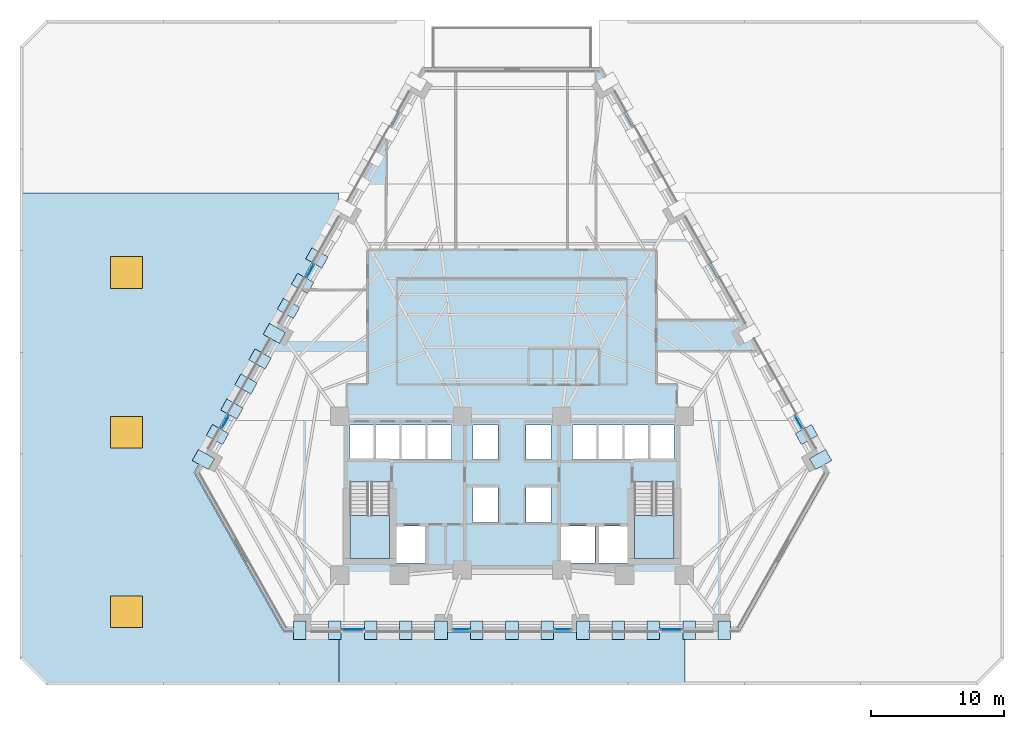
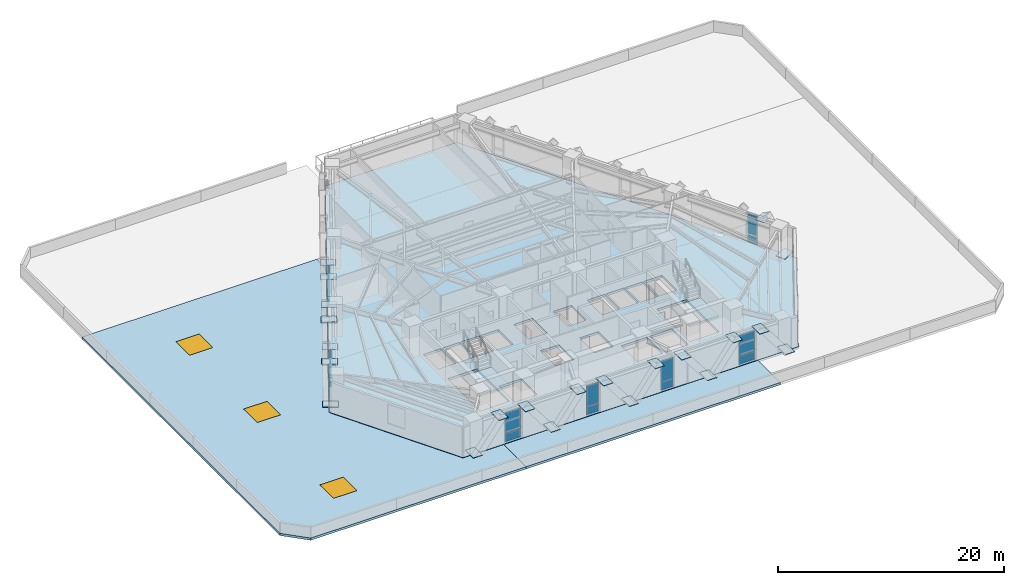
# One storey, part 5 of 14: 38 plates, 5 slabs, 3 windows, 3 openings, 9 elements without a shape of their own.
"""IFC4 building model written with IfcOpenShell, lengths in metres."""

from ifc_helpers import new_model, si_unit, direction, frame, origin, origin_2d, place, context, subcontext, project, spatial, polyline, rectangle, outline, extrude, material, layer, layer_set, type_object, element, fill, aggregate, save


model = new_model("IFC4")

# Units and contexts
model_context = context("Model", 3, precision=1e-05, world=origin(), true_north=direction((0.0, 1.0)))
body_context = subcontext(model_context, "Body", "Model", "MODEL_VIEW")
ifc_project = project(units=[si_unit("LENGTHUNIT", "METRE"), si_unit("AREAUNIT", "SQUARE_METRE"), si_unit("VOLUMEUNIT", "CUBIC_METRE"), si_unit("PLANEANGLEUNIT", "RADIAN"), si_unit("MASSUNIT", "GRAM", prefix="KILO")], contexts=[model_context])

# Site, building, storey
site_placement = place(None, origin())
site = spatial("IfcSite", under=ifc_project, at=site_placement, CompositionType="ELEMENT")
building_placement = place(site_placement, origin())
building = spatial("IfcBuilding", under=site, at=building_placement, Name="Quenlor Broadcast Tower", CompositionType="ELEMENT")
storey_placement = place(building_placement, frame((0.0, 0.0, 27.60009765625)))
storey = spatial("IfcBuildingStorey", under=building, at=storey_placement, Name="L06", CompositionType="ELEMENT", Elevation=27.60009765625)

# Curtain wall, plates
ifc_material_1 = material(Name="Architectural Terracotta and Low-E Glazing", Category="masonry")
curtain_wall_type = type_object("IfcCurtainWallType", Name="Unitised Terracotta Curtain Wall System Z1", PredefinedType="NOTDEFINED", material=ifc_material_1)
curtain_wall_1_placement = place(storey_placement, origin())
curtain_wall_1 = element("IfcCurtainWall", 1, at=curtain_wall_1_placement, inside=storey, type_object=curtain_wall_type, Name="L06 Curtain Wall CW1 (L06-SA-G1)", PredefinedType="NOTDEFINED")
ifc_material_2 = material(Name="Double Glazed Low-E Solar Glass", Category="glass")
ifc_layer_1 = layer(ifc_material_2, 0.031982421875)
ifc_layer_set_1 = layer_set([ifc_layer_1], Name="CW1 Double Glazed Vision Panel 32")
plate_type_1 = type_object("IfcPlateType", Name="CW1 Double Glazed Vision Panel 32", PredefinedType="CURTAIN_PANEL", material=ifc_layer_set_1)
plate_1_placement = place(storey_placement, frame((11.970703125, -20.840087890625, 0.079833984375), z_axis=(0.0, 0.0, 1.0), x_axis=(-1.0, 0.0, 0.0)))
plate_1 = element("IfcPlate", 2, at=plate_1_placement, type_object=plate_type_1, Name="CW1 panel 1.1", PredefinedType="CURTAIN_PANEL", context=body_context, shape_type="SweptSolid", body=[
    extrude(rectangle(XDim=1.568359375, YDim=0.031982421875, at=origin_2d()), origin(), (0.0, 0.0, 1.0), 0.830078125),
])
plate_2_placement = place(storey_placement, frame((11.970703125, -20.840087890625, 0.98974609375), z_axis=(0.0, 0.0, 1.0), x_axis=(-1.0, 0.0, 0.0)))
plate_2 = element("IfcPlate", 3, at=plate_2_placement, type_object=plate_type_1, Name="CW1 panel 1.2", PredefinedType="CURTAIN_PANEL", context=body_context, shape_type="SweptSolid", body=[
    extrude(rectangle(XDim=1.568359375, YDim=0.031982421875, at=origin_2d()), origin(), (0.0, 0.0, 1.0), 2.179931640625),
])
aggregate(curtain_wall_1, [plate_1, plate_2])

curtain_wall_2_placement = place(storey_placement, origin())
curtain_wall_2 = element("IfcCurtainWall", 4, at=curtain_wall_2_placement, inside=storey, type_object=curtain_wall_type, Name="L06 Curtain Wall CW1 (L06-SC-G1)", PredefinedType="NOTDEFINED")
plate_3_placement = place(storey_placement, frame((-11.970703125, -20.840087890625, 0.079833984375), z_axis=(0.0, 0.0, 1.0), x_axis=(-1.0, 0.0, 0.0)))
plate_3 = element("IfcPlate", 5, at=plate_3_placement, type_object=plate_type_1, Name="CW1 panel 1.1", PredefinedType="CURTAIN_PANEL", context=body_context, shape_type="SweptSolid", body=[
    extrude(rectangle(XDim=1.568359375, YDim=0.031982421875, at=origin_2d()), origin(), (0.0, 0.0, 1.0), 0.830078125),
])
plate_4_placement = place(storey_placement, frame((-11.970703125, -20.840087890625, 0.98974609375), z_axis=(0.0, 0.0, 1.0), x_axis=(-1.0, 0.0, 0.0)))
plate_4 = element("IfcPlate", 6, at=plate_4_placement, type_object=plate_type_1, Name="CW1 panel 1.2", PredefinedType="CURTAIN_PANEL", context=body_context, shape_type="SweptSolid", body=[
    extrude(rectangle(XDim=1.568359375, YDim=0.031982421875, at=origin_2d()), origin(), (0.0, 0.0, 1.0), 2.179931640625),
])
aggregate(curtain_wall_2, [plate_3, plate_4])

curtain_wall_3_placement = place(storey_placement, origin())
curtain_wall_3 = element("IfcCurtainWall", 7, at=curtain_wall_3_placement, inside=storey, type_object=curtain_wall_type, Name="L06 Curtain Wall CW1 (L06-S-G1)", PredefinedType="NOTDEFINED")
plate_5_placement = place(storey_placement, frame((3.81103515625, -20.840087890625, 0.079833984375), z_axis=(0.0, 0.0, 1.0), x_axis=(-1.0, 0.0, 0.0)))
plate_5 = element("IfcPlate", 8, at=plate_5_placement, type_object=plate_type_1, Name="CW1 panel 1.1", PredefinedType="CURTAIN_PANEL", context=body_context, shape_type="SweptSolid", body=[
    extrude(rectangle(XDim=1.209716796875, YDim=0.031982421875, at=origin_2d()), origin(), (0.0, 0.0, 1.0), 0.830078125),
])
plate_6_placement = place(storey_placement, frame((3.81103515625, -20.840087890625, 0.98974609375), z_axis=(0.0, 0.0, 1.0), x_axis=(-1.0, 0.0, 0.0)))
plate_6 = element("IfcPlate", 9, at=plate_6_placement, type_object=plate_type_1, Name="CW1 panel 1.2", PredefinedType="CURTAIN_PANEL", context=body_context, shape_type="SweptSolid", body=[
    extrude(rectangle(XDim=1.209716796875, YDim=0.031982421875, at=origin_2d()), origin(), (0.0, 0.0, 1.0), 2.179931640625),
])
aggregate(curtain_wall_3, [plate_5, plate_6])

curtain_wall_4_placement = place(storey_placement, origin())
curtain_wall_4 = element("IfcCurtainWall", 10, at=curtain_wall_4_placement, inside=storey, type_object=curtain_wall_type, Name="L06 Curtain Wall CW1 (L06-S-G2)", PredefinedType="NOTDEFINED")
plate_7_placement = place(storey_placement, frame((-3.81103515625, -20.840087890625, 0.079833984375), z_axis=(0.0, 0.0, 1.0), x_axis=(-1.0, 0.0, 0.0)))
plate_7 = element("IfcPlate", 11, at=plate_7_placement, type_object=plate_type_1, Name="CW1 panel 1.1", PredefinedType="CURTAIN_PANEL", context=body_context, shape_type="SweptSolid", body=[
    extrude(rectangle(XDim=1.209716796875, YDim=0.031982421875, at=origin_2d()), origin(), (0.0, 0.0, 1.0), 0.830078125),
])
plate_8_placement = place(storey_placement, frame((-3.81103515625, -20.840087890625, 0.98974609375), z_axis=(0.0, 0.0, 1.0), x_axis=(-1.0, 0.0, 0.0)))
plate_8 = element("IfcPlate", 12, at=plate_8_placement, type_object=plate_type_1, Name="CW1 panel 1.2", PredefinedType="CURTAIN_PANEL", context=body_context, shape_type="SweptSolid", body=[
    extrude(rectangle(XDim=1.209716796875, YDim=0.031982421875, at=origin_2d()), origin(), (0.0, 0.0, 1.0), 2.179931640625),
])
aggregate(curtain_wall_4, [plate_7, plate_8])

curtain_wall_5_placement = place(storey_placement, origin())
curtain_wall_5 = element("IfcCurtainWall", 13, at=curtain_wall_5_placement, inside=storey, type_object=curtain_wall_type, Name="L06 Curtain Wall CW1 (L06-NEC-G1)", PredefinedType="NOTDEFINED")
plate_9_placement = place(storey_placement, frame((21.553955078125, -5.24462890625, 0.079833984375), z_axis=(0.0, 0.0, 1.0), x_axis=(0.490276943553, -0.871566703483, 0.0)))
plate_9 = element("IfcPlate", 14, at=plate_9_placement, type_object=plate_type_1, Name="CW1 panel 1.1", PredefinedType="CURTAIN_PANEL", context=body_context, shape_type="SweptSolid", body=[
    extrude(rectangle(XDim=1.04931640625, YDim=0.031982421875, at=origin_2d()), origin(), (0.0, 0.0, 1.0), 0.830078125),
])
plate_10_placement = place(storey_placement, frame((21.553955078125, -5.24462890625, 0.98974609375), z_axis=(0.0, 0.0, 1.0), x_axis=(0.490276943553, -0.871566703483, 0.0)))
plate_10 = element("IfcPlate", 15, at=plate_10_placement, type_object=plate_type_1, Name="CW1 panel 1.2", PredefinedType="CURTAIN_PANEL", context=body_context, shape_type="SweptSolid", body=[
    extrude(rectangle(XDim=1.04931640625, YDim=0.031982421875, at=origin_2d()), origin(), (0.0, 0.0, 1.0), 2.179931640625),
])
aggregate(curtain_wall_5, [plate_9, plate_10])

curtain_wall_6_placement = place(storey_placement, origin())
curtain_wall_6 = element("IfcCurtainWall", 16, at=curtain_wall_6_placement, inside=storey, type_object=curtain_wall_type, Name="L06 Curtain Wall CW1 (L06-NWA-G1)", PredefinedType="NOTDEFINED")
plate_11_placement = place(storey_placement, frame((-21.553955078125, -5.24462890625, 0.079833984375), z_axis=(0.0, 0.0, 1.0), x_axis=(0.490276943553, 0.871566703483, 0.0)))
plate_11 = element("IfcPlate", 17, at=plate_11_placement, type_object=plate_type_1, Name="CW1 panel 1.1", PredefinedType="CURTAIN_PANEL", context=body_context, shape_type="SweptSolid", body=[
    extrude(rectangle(XDim=1.04931640625, YDim=0.031982421875, at=origin_2d()), origin(), (0.0, 0.0, 1.0), 0.830078125),
])
plate_12_placement = place(storey_placement, frame((-21.553955078125, -5.24462890625, 0.98974609375), z_axis=(0.0, 0.0, 1.0), x_axis=(0.490276943553, 0.871566703483, 0.0)))
plate_12 = element("IfcPlate", 18, at=plate_12_placement, type_object=plate_type_1, Name="CW1 panel 1.2", PredefinedType="CURTAIN_PANEL", context=body_context, shape_type="SweptSolid", body=[
    extrude(rectangle(XDim=1.04931640625, YDim=0.031982421875, at=origin_2d()), origin(), (0.0, 0.0, 1.0), 2.179931640625),
])
aggregate(curtain_wall_6, [plate_11, plate_12])

curtain_wall_7_placement = place(storey_placement, origin())
curtain_wall_7 = element("IfcCurtainWall", 19, at=curtain_wall_7_placement, inside=storey, type_object=curtain_wall_type, Name="L06 Curtain Wall CW1 (L06-NW-G1)", PredefinedType="NOTDEFINED")
plate_13_placement = place(storey_placement, frame((-15.16064453125, 6.12158203125, 0.079833984375), z_axis=(0.0, 0.0, 1.0), x_axis=(0.490276943553, 0.871566703483, 0.0)))
plate_13 = element("IfcPlate", 20, at=plate_13_placement, type_object=plate_type_1, Name="CW1 panel 1.1", PredefinedType="CURTAIN_PANEL", context=body_context, shape_type="SweptSolid", body=[
    extrude(rectangle(XDim=1.04931640625, YDim=0.031982421875, at=origin_2d()), origin(), (0.0, 0.0, 1.0), 0.830078125),
])
plate_14_placement = place(storey_placement, frame((-15.16064453125, 6.12158203125, 0.98974609375), z_axis=(0.0, 0.0, 1.0), x_axis=(0.490276943553, 0.871566703483, 0.0)))
plate_14 = element("IfcPlate", 21, at=plate_14_placement, type_object=plate_type_1, Name="CW1 panel 1.2", PredefinedType="CURTAIN_PANEL", context=body_context, shape_type="SweptSolid", body=[
    extrude(rectangle(XDim=1.04931640625, YDim=0.031982421875, at=origin_2d()), origin(), (0.0, 0.0, 1.0), 2.179931640625),
])
aggregate(curtain_wall_7, [plate_13, plate_14])

# Slab, openings, windows
ifc_material_3 = material(Name="Concrete C40/50", Category="concrete")
ifc_layer_2 = layer(ifc_material_3, 0.25)
ifc_layer_set_2 = layer_set([ifc_layer_2], Name="Podium Main Weatherproof Concrete C40/50 Roof Slab 250")
slab_type_1 = type_object("IfcSlabType", Name="Podium Main Weatherproof Concrete C40/50 Roof Slab 250", PredefinedType="ROOF", material=ifc_layer_set_2)
slab_1_placement = place(storey_placement, frame((0.0, 0.0, -0.25)))
slab_1 = element("IfcSlab", 22, at=slab_1_placement, inside=storey, type_object=slab_type_1, Name="L06 Setback Weatherproof Roof Slab 1", PredefinedType="ROOF", context=body_context, shape_type="SweptSolid", body=[
    extrude(outline(polyline([(-35.0, -25.0), (-37.0, -23.0), (-37.0, 12.0), (-13.0, 12.0), (-13.0, 10.37060546875), (-23.913818359375, -9.031982421875), (-17.159423828125, -21.0400390625), (-13.0, -21.0400390625), (-13.0, -25.0), (-35.0, -25.0)])), origin(), (0.0, 0.0, 1.0), 0.25),
])
opening_1_placement = place(slab_1_placement, frame((-29.0, 6.0, 0.0)))
opening_1 = element("IfcOpeningElement", 23, at=opening_1_placement, cuts=slab_1, Name="Opening SK-1", PredefinedType="OPENING", context=body_context, shape_type="SweptSolid", body=[
    extrude(rectangle(XDim=2.39990234375, YDim=2.39990234375, at=origin_2d()), frame((0.0, 0.0, -0.010009765625)), (0.0, 0.0, 1.0), 0.27001953125),
])
opening_2_placement = place(slab_1_placement, frame((-29.0, -6.0, 0.0)))
opening_2 = element("IfcOpeningElement", 24, at=opening_2_placement, cuts=slab_1, Name="Opening SK-1", PredefinedType="OPENING", context=body_context, shape_type="SweptSolid", body=[
    extrude(rectangle(XDim=2.39990234375, YDim=2.39990234375, at=origin_2d()), frame((0.0, 0.0, -0.010009765625)), (0.0, 0.0, 1.0), 0.27001953125),
])
opening_3_placement = place(slab_1_placement, frame((-29.0, -19.5, 0.0)))
opening_3 = element("IfcOpeningElement", 25, at=opening_3_placement, cuts=slab_1, Name="Opening SK-1", PredefinedType="OPENING", context=body_context, shape_type="SweptSolid", body=[
    extrude(rectangle(XDim=2.39990234375, YDim=2.39990234375, at=origin_2d()), frame((0.0, 0.0, -0.010009765625)), (0.0, 0.0, 1.0), 0.27001953125),
])
ifc_material_4 = material(Name="Laminated Safety Skylight Glazing", Category="glass")
window_type = type_object("IfcWindowType", Name="Podium Atrium Roof Skylight 2400x2400", PartitioningType="SINGLE_PANEL", PredefinedType="SKYLIGHT", material=ifc_material_4)
window_1_placement = place(opening_1_placement, frame((0.0, 0.0, 0.199951171875)))
window_1 = element("IfcWindow", 26, at=window_1_placement, inside=storey, type_object=window_type, Name="Podium Concourse Skylight SK-1", OverallHeight=2.39990234375, OverallWidth=2.39990234375, PartitioningType="SINGLE_PANEL", PredefinedType="SKYLIGHT", context=body_context, shape_type="SweptSolid", body=[
    extrude(rectangle(XDim=2.39990234375, YDim=2.39990234375, at=origin_2d()), origin(), (0.0, 0.0, 1.0), 0.050048828125),
])
fill(opening_1, window_1)
window_2_placement = place(opening_2_placement, frame((0.0, 0.0, 0.199951171875)))
window_2 = element("IfcWindow", 27, at=window_2_placement, inside=storey, type_object=window_type, Name="Podium Concourse Skylight SK-2", OverallHeight=2.39990234375, OverallWidth=2.39990234375, PartitioningType="SINGLE_PANEL", PredefinedType="SKYLIGHT", context=body_context, shape_type="SweptSolid", body=[
    extrude(rectangle(XDim=2.39990234375, YDim=2.39990234375, at=origin_2d()), origin(), (0.0, 0.0, 1.0), 0.050048828125),
])
fill(opening_2, window_2)
window_3_placement = place(opening_3_placement, frame((0.0, 0.0, 0.199951171875)))
window_3 = element("IfcWindow", 28, at=window_3_placement, inside=storey, type_object=window_type, Name="Podium Concourse Skylight SK-4", OverallHeight=2.39990234375, OverallWidth=2.39990234375, PartitioningType="SINGLE_PANEL", PredefinedType="SKYLIGHT", context=body_context, shape_type="SweptSolid", body=[
    extrude(rectangle(XDim=2.39990234375, YDim=2.39990234375, at=origin_2d()), origin(), (0.0, 0.0, 1.0), 0.050048828125),
])
fill(opening_3, window_3)

# Slab
slab_2_placement = place(storey_placement, frame((0.0, 0.0, -0.25)))
element("IfcSlab", 29, at=slab_2_placement, inside=storey, type_object=slab_type_1, Name="L06 Setback Weatherproof Roof Slab 3", PredefinedType="ROOF", context=body_context, shape_type="SweptSolid", body=[
    extrude(outline(polyline([(-13.0, -25.0), (-13.0, -21.0400390625), (13.0, -21.0400390625), (13.0, -25.0), (-13.0, -25.0)])), origin(), (0.0, 0.0, 1.0), 0.25),
])

# Stair, slab
ifc_material_5 = material(Name="Precast concrete C40/50", Category="concrete")
stair_type = type_object("IfcStairType", Name="Precast Concrete C40/50 Dogleg Stair H350", PredefinedType="HALF_TURN_STAIR", material=ifc_material_5)
stair_1_placement = place(storey_placement, origin())
stair_1 = element("IfcStair", 30, at=stair_1_placement, inside=storey, type_object=stair_type, Name="L06 West Core Fire-Isolated Exit Stair ST-1", PredefinedType="HALF_TURN_STAIR")
ifc_material_6 = material(Name="Precast concrete C40/50", Category="concrete")
ifc_layer_3 = layer(ifc_material_6, 0.199951171875)
ifc_layer_set_3 = layer_set([ifc_layer_3], Name="Precast Concrete C40/50 Stair Landing Slab 200")
slab_type_2 = type_object("IfcSlabType", Name="Precast Concrete C40/50 Stair Landing Slab 200", PredefinedType="LANDING", material=ifc_layer_set_3)
slab_3_placement = place(storey_placement, frame((0.0, 0.0, 1.5498046875)))
slab_3 = element("IfcSlab", 31, at=slab_3_placement, type_object=slab_type_2, Name="ST-1 landing 1", PredefinedType="LANDING", context=body_context, shape_type="SweptSolid", body=[
    extrude(outline(polyline([(-12.199951171875, -12.27001953125), (-12.199951171875, -15.5), (-9.199951171875, -15.5), (-9.199951171875, -12.27001953125), (-12.199951171875, -12.27001953125)])), origin(), (0.0, 0.0, 1.0), 0.2001953125),
])
aggregate(stair_1, [slab_3])

stair_2_placement = place(storey_placement, origin())
stair_2 = element("IfcStair", 32, at=stair_2_placement, inside=storey, type_object=stair_type, Name="L06 East Core Fire-Isolated Exit Stair ST-2", PredefinedType="HALF_TURN_STAIR")
slab_4_placement = place(storey_placement, frame((0.0, 0.0, 1.5498046875)))
slab_4 = element("IfcSlab", 33, at=slab_4_placement, type_object=slab_type_2, Name="ST-2 landing 1", PredefinedType="LANDING", context=body_context, shape_type="SweptSolid", body=[
    extrude(outline(polyline([(9.199951171875, -12.27001953125), (9.199951171875, -15.5), (12.199951171875, -15.5), (12.199951171875, -12.27001953125), (9.199951171875, -12.27001953125)])), origin(), (0.0, 0.0, 1.0), 0.2001953125),
])
aggregate(stair_2, [slab_4])

# Slab
ifc_material_7 = material(Name="Concrete C40/50", Category="concrete")
ifc_layer_4 = layer(ifc_material_7, 0.25)
ifc_layer_set_4 = layer_set([ifc_layer_4], Name="Tower Composite Concrete C40/50 Slab 250")
slab_type_3 = type_object("IfcSlabType", Name="Tower Composite Concrete C40/50 Slab 250", PredefinedType="FLOOR", material=ifc_layer_set_4)
slab_5_placement = place(storey_placement, frame((0.0, 0.0, -0.25)))
element("IfcSlab", 34, at=slab_5_placement, inside=storey, type_object=slab_type_3, Name="L06 Structural Floor Slab", PredefinedType="FLOOR", context=body_context, shape_type="SweptSolid", body=[
    extrude(outline(polyline([(17.135986328125, -21.0), (23.867919921875, -9.031982421875), (6.73193359375, 21.431884765625), (-6.73193359375, 21.431884765625), (-23.867919921875, -9.031982421875), (-17.135986328125, -21.0), (17.135986328125, -21.0)]), holes=[polyline([(-12.199951171875, -9.758056640625), (-12.199951171875, -15.5), (-9.199951171875, -15.5), (-9.199951171875, -9.758056640625), (-12.199951171875, -9.758056640625)]), polyline([(9.199951171875, -9.758056640625), (9.199951171875, -15.5), (12.199951171875, -15.5), (12.199951171875, -9.758056640625), (9.199951171875, -9.758056640625)]), polyline([(-12.199951171875, -8.050048828125), (-10.39990234375, -8.050048828125), (-10.39990234375, -5.449951171875), (-12.199951171875, -5.449951171875), (-12.199951171875, -8.050048828125)]), polyline([(-10.25, -8.050048828125), (-8.449951171875, -8.050048828125), (-8.449951171875, -5.449951171875), (-10.25, -5.449951171875), (-10.25, -8.050048828125)]), polyline([(-8.300048828125, -8.050048828125), (-6.5, -8.050048828125), (-6.5, -5.449951171875), (-8.300048828125, -5.449951171875), (-8.300048828125, -8.050048828125)]), polyline([(-6.35009765625, -8.050048828125), (-4.550048828125, -8.050048828125), (-4.550048828125, -5.449951171875), (-6.35009765625, -5.449951171875), (-6.35009765625, -8.050048828125)]), polyline([(-2.949951171875, -8.050048828125), (-1.050048828125, -8.050048828125), (-1.050048828125, -5.449951171875), (-2.949951171875, -5.449951171875), (-2.949951171875, -8.050048828125)]), polyline([(1.050048828125, -8.050048828125), (2.949951171875, -8.050048828125), (2.949951171875, -5.449951171875), (1.050048828125, -5.449951171875), (1.050048828125, -8.050048828125)]), polyline([(-2.949951171875, -12.800048828125), (-1.050048828125, -12.800048828125), (-1.050048828125, -10.14990234375), (-2.949951171875, -10.14990234375), (-2.949951171875, -12.800048828125)]), polyline([(1.050048828125, -12.800048828125), (2.949951171875, -12.800048828125), (2.949951171875, -10.14990234375), (1.050048828125, -10.14990234375), (1.050048828125, -12.800048828125)]), polyline([(4.550048828125, -8.050048828125), (6.35009765625, -8.050048828125), (6.35009765625, -5.449951171875), (4.550048828125, -5.449951171875), (4.550048828125, -8.050048828125)]), polyline([(6.5, -8.050048828125), (8.300048828125, -8.050048828125), (8.300048828125, -5.449951171875), (6.5, -5.449951171875), (6.5, -8.050048828125)]), polyline([(8.449951171875, -8.050048828125), (10.25, -8.050048828125), (10.25, -5.449951171875), (8.449951171875, -5.449951171875), (8.449951171875, -8.050048828125)]), polyline([(10.39990234375, -8.050048828125), (12.199951171875, -8.050048828125), (12.199951171875, -5.449951171875), (10.39990234375, -5.449951171875), (10.39990234375, -8.050048828125)]), polyline([(-8.85009765625, -15.85009765625), (-6.550048828125, -15.85009765625), (-6.550048828125, -13.050048828125), (-8.85009765625, -13.050048828125), (-8.85009765625, -15.85009765625)]), polyline([(6.550048828125, -15.85009765625), (8.85009765625, -15.85009765625), (8.85009765625, -13.050048828125), (6.550048828125, -13.050048828125), (6.550048828125, -15.85009765625)]), polyline([(3.64990234375, -15.85009765625), (6.25, -15.85009765625), (6.25, -13.050048828125), (3.64990234375, -13.050048828125), (3.64990234375, -15.85009765625)])]), origin(), (0.0, 0.0, 1.0), 0.25),
])

# Plates
ifc_material_8 = material(Name="Steel S355", Category="steel")
ifc_layer_5 = layer(ifc_material_8, 0.035888671875)
ifc_layer_set_5 = layer_set([ifc_layer_5], Name="Transfer Truss Steel S355 Gusset Node Plate 1400x950x36")
plate_type_2 = type_object("IfcPlateType", Name="Transfer Truss Steel S355 Gusset Node Plate 1400x950x36", PredefinedType="SHEET", material=ifc_layer_set_5)
for number, where, z_axis, x_axis, name in (
    (35, (15.9609375, -20.89990234375, 0.0419921875), (0.0, 0.0, 1.0), (0.0, -1.0, 0.0), "L06 Lattice Tie Gusset Node S-B0"),
    (36, (13.31689453125, -20.89990234375, 3.18212890625), (0.0, 0.0, 1.0), (0.0, -1.0, 0.0), "L06 Lattice Tie Gusset Node S-T1"),
    (37, (7.98046875, -20.89990234375, 0.0419921875), (0.0, 0.0, 1.0), (0.0, -1.0, 0.0), "L06 Lattice Tie Gusset Node S-B3"),
    (38, (10.624755859375, -20.89990234375, 3.18212890625), (0.0, 0.0, 1.0), (0.0, -1.0, 0.0), "L06 Lattice Tie Gusset Node S-T2"),
    (39, (5.336181640625, -20.89990234375, 3.18212890625), (0.0, 0.0, 1.0), (0.0, -1.0, 0.0), "L06 Lattice Tie Gusset Node S-T4"),
    (40, (0.0, -20.89990234375, 0.0419921875), (0.0, 0.0, 1.0), (0.0, -1.0, 0.0), "L06 Lattice Tie Gusset Node S-B6"),
    (41, (2.644287109375, -20.89990234375, 3.18212890625), (0.0, 0.0, 1.0), (0.0, -1.0, 0.0), "L06 Lattice Tie Gusset Node S-T5"),
    (42, (-2.644287109375, -20.89990234375, 3.18212890625), (0.0, 0.0, 1.0), (0.0, -1.0, 0.0), "L06 Lattice Tie Gusset Node S-T7"),
    (43, (-7.98046875, -20.89990234375, 0.0419921875), (0.0, 0.0, 1.0), (0.0, -1.0, 0.0), "L06 Lattice Tie Gusset Node S-B9"),
    (44, (-5.336181640625, -20.89990234375, 3.18212890625), (0.0, 0.0, 1.0), (0.0, -1.0, 0.0), "L06 Lattice Tie Gusset Node S-T8"),
    (45, (-10.624755859375, -20.89990234375, 3.18212890625), (0.0, 0.0, 1.0), (0.0, -1.0, 0.0), "L06 Lattice Tie Gusset Node S-T10"),
    (46, (-15.9609375, -20.89990234375, 0.0419921875), (0.0, 0.0, 1.0), (0.0, -1.0, 0.0), "L06 Lattice Tie Gusset Node S-B12"),
    (47, (-13.31689453125, -20.89990234375, 3.18212890625), (0.0, 0.0, 1.0), (0.0, -1.0, 0.0), "L06 Lattice Tie Gusset Node S-T11"),
    (48, (23.20458984375, -8.056884765625, 0.0419921875), (0.0, 0.0, 1.0), (0.871556314255, 0.490295412055, 0.0), "L06 Lattice Tie Gusset Node NE-B15"),
    (49, (22.1455078125, -6.173828125, 3.18212890625), (0.0, 0.0, 1.0), (0.871556314255, 0.490295412055, 0.0), "L06 Lattice Tie Gusset Node NE-T14"),
    (50, (-23.20458984375, -8.056884765625, 0.0419921875), (0.0, 0.0, 1.0), (-0.871556314255, 0.490295412055, 0.0), "L06 Lattice Tie Gusset Node NW-B0"),
    (51, (-22.1455078125, -6.173828125, 3.18212890625), (0.0, 0.0, 1.0), (-0.871556314255, 0.490295412055, 0.0), "L06 Lattice Tie Gusset Node NW-T1"),
    (52, (-20.008056640625, -2.373779296875, 0.0419921875), (0.0, 0.0, 1.0), (-0.871556314255, 0.490295412055, 0.0), "L06 Lattice Tie Gusset Node NW-B3"),
    (53, (-21.067138671875, -4.256591796875, 3.18212890625), (0.0, 0.0, 1.0), (-0.871556314255, 0.490295412055, 0.0), "L06 Lattice Tie Gusset Node NW-T2"),
    (54, (-18.94873046875, -0.49072265625, 3.18212890625), (0.0, 0.0, 1.0), (-0.871556314255, 0.490295412055, 0.0), "L06 Lattice Tie Gusset Node NW-T4"),
    (55, (-16.811279296875, 3.309326171875, 0.0419921875), (0.0, 0.0, 1.0), (-0.871556314255, 0.490295412055, 0.0), "L06 Lattice Tie Gusset Node NW-B6"),
    (56, (-17.870361328125, 1.426513671875, 3.18212890625), (0.0, 0.0, 1.0), (-0.871556314255, 0.490295412055, 0.0), "L06 Lattice Tie Gusset Node NW-T5"),
    (57, (-15.751953125, 5.1923828125, 3.18212890625), (0.0, 0.0, 1.0), (-0.871556314255, 0.490295412055, 0.0), "L06 Lattice Tie Gusset Node NW-T7"),
    (58, (-14.673583984375, 7.109619140625, 3.18212890625), (0.0, 0.0, 1.0), (-0.871556314255, 0.490295412055, 0.0), "L06 Lattice Tie Gusset Node NW-T8"),
):
    element("IfcPlate", number, at=place(storey_placement, frame(where, z_axis=z_axis, x_axis=x_axis)), inside=storey, type_object=plate_type_2, Name=name, PredefinedType="SHEET", context=body_context, shape_type="SweptSolid", body=[
        extrude(rectangle(XDim=1.39990234375, YDim=0.949951171875, at=origin_2d()), origin(), (0.0, 0.0, 1.0), 0.035888671875),
    ])

save(model, "model.ifc")
